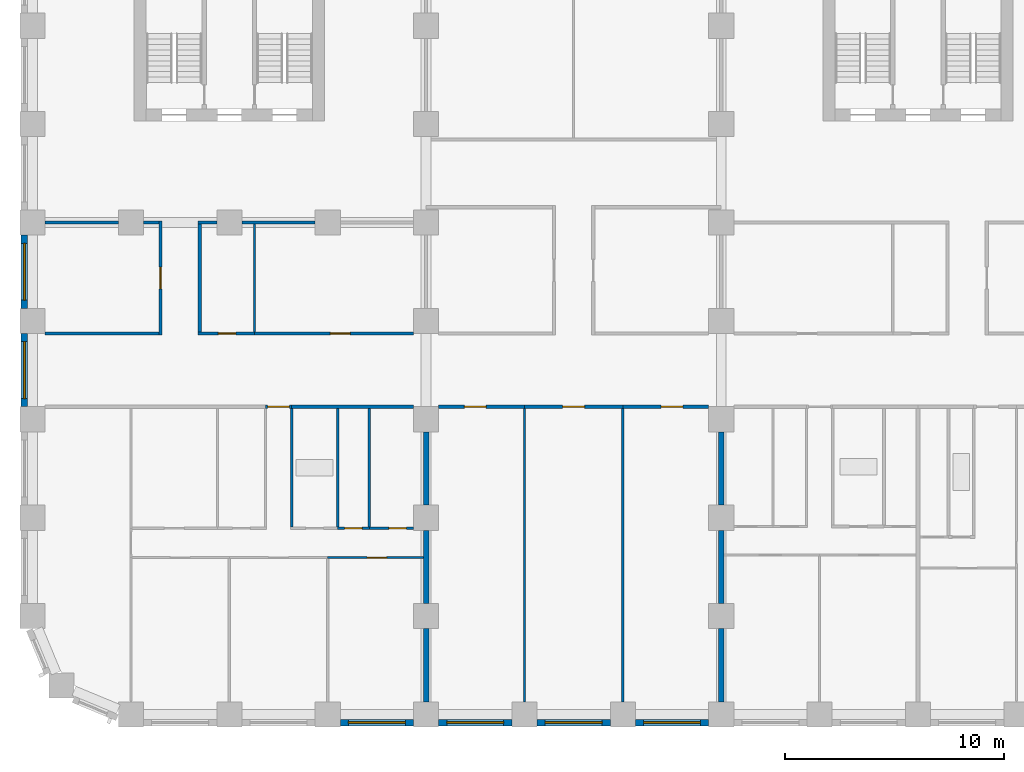
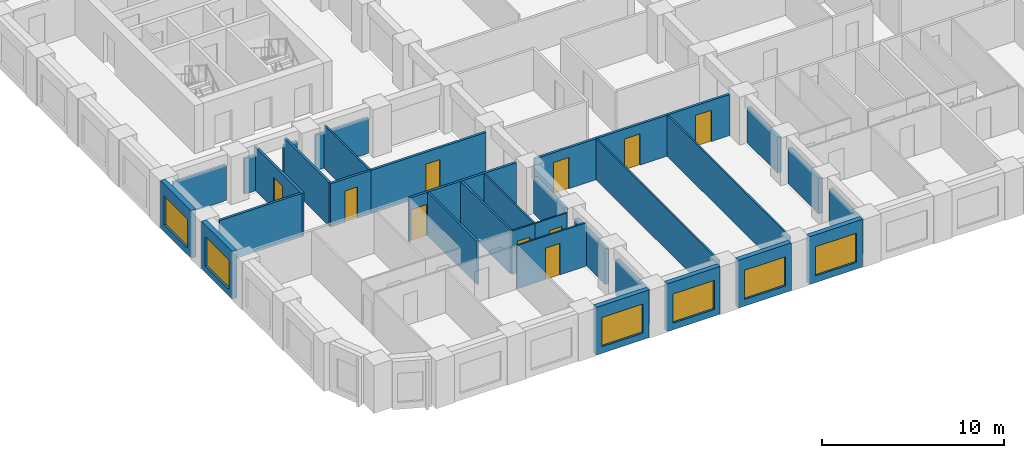
# One storey, part 3 of 13: 35 walls, 10 doors, 6 windows, 16 openings.
"""IFC4 building model written with IfcOpenShell, lengths in metres."""

from ifc_helpers import new_model, si_unit, direction, frame, frame_2d, origin, place, context, subcontext, project, spatial, rectangle, extrude, material, layer, layer_set, type_object, element, fill, save


model = new_model("IFC4")

# Units and contexts
model_context = context("Model", 3, precision=1e-05, world=origin(), true_north=direction((0.0, 1.0)))
body_context = subcontext(model_context, "Body", "Model", "MODEL_VIEW")
ifc_project = project(units=[si_unit("LENGTHUNIT", "METRE"), si_unit("AREAUNIT", "SQUARE_METRE"), si_unit("VOLUMEUNIT", "CUBIC_METRE"), si_unit("PLANEANGLEUNIT", "RADIAN"), si_unit("MASSUNIT", "GRAM", prefix="KILO")], contexts=[model_context])

# Site, building, storey
site_placement = place(None, origin())
site = spatial("IfcSite", under=ifc_project, at=site_placement, CompositionType="ELEMENT")
building_placement = place(site_placement, origin())
building = spatial("IfcBuilding", under=site, at=building_placement, Name="Girih Gate Residences", CompositionType="ELEMENT")
storey_placement = place(building_placement, frame((0.0, 0.0, 86.39990234375)))
storey = spatial("IfcBuildingStorey", under=building, at=storey_placement, Name="L23", CompositionType="ELEMENT", Elevation=86.39990234375)

# Walls
ifc_material_1 = material(Name="Gypsum board on steel studs", Category="steel")
ifc_layer_1 = layer(ifc_material_1, 0.25)
ifc_layer_set_1 = layer_set([ifc_layer_1], Name="Acoustic separating wall 250 mm")
wall_type_1 = type_object("IfcWallType", Name="Acoustic separating wall 250 mm", PredefinedType="PARTITIONING", material=ifc_layer_set_1)
for number, where, z_axis, x_axis, name in (
    (1, (18.0, 5.074951171875, 0.0), (0.0, 0.0, 1.0), (0.0, 1.0, 0.0), "L23 partition"),
    (2, (18.0, 0.574951171875, 0.0), (0.0, 0.0, 1.0), (0.0, 1.0, 0.0), "L23 partition"),
    (3, (18.0, 9.574951171875, 0.0), (0.0, 0.0, 1.0), (0.0, 1.0, 0.0), "L23 partition"),
    (4, (31.5, 9.574951171875, 0.0), (0.0, 0.0, 1.0), (0.0, 1.0, 0.0), "L23 partition"),
    (5, (31.5, 0.574951171875, 0.0), (0.0, 0.0, 1.0), (0.0, 1.0, 0.0), "L23 partition"),
    (6, (31.5, 5.074951171875, 0.0), (0.0, 0.0, 1.0), (0.0, 1.0, 0.0), "L23 partition"),
):
    element("IfcWall", number, at=place(storey_placement, frame(where, z_axis=z_axis, x_axis=x_axis)), inside=storey, type_object=wall_type_1, Name=name, PredefinedType="PARTITIONING", context=body_context, shape_type="SweptSolid", body=[
        extrude(rectangle(XDim=3.35009765625, YDim=0.25, at=frame_2d((1.675048828125, 0.0))), origin(), (0.0, 0.0, 1.0), 2.380126953125),
    ])
ifc_layer_2 = layer(ifc_material_1, 0.14990234375)
ifc_layer_set_2 = layer_set([ifc_layer_2], Name="Compartment wall 150 mm")
wall_type_2 = type_object("IfcWallType", Name="Compartment wall 150 mm", PredefinedType="PARTITIONING", material=ifc_layer_set_2)
wall_1_placement = place(storey_placement, frame((11.85009765625, 14.074951171875, 0.0), z_axis=(0.0, 0.0, 1.0), x_axis=(1.0, 0.0, 0.0)))
element("IfcWall", 7, at=wall_1_placement, inside=storey, type_object=wall_type_2, Name="L23 partition", PredefinedType="PARTITIONING", context=body_context, shape_type="SweptSolid", body=[
    extrude(rectangle(XDim=5.574951171875, YDim=0.14990234375, at=frame_2d((2.78759765625, 0.0))), origin(), (0.0, 0.0, 1.0), 2.900146484375),
])

# Wall, opening, door
wall_2_placement = place(storey_placement, frame((11.85009765625, 14.074951171875, 0.0), z_axis=(0.0, 0.0, 1.0), x_axis=(-1.0, 0.0, 0.0)))
wall_2 = element("IfcWall", 8, at=wall_2_placement, inside=storey, type_object=wall_type_2, Name="L23 partition", PredefinedType="PARTITIONING", context=body_context, shape_type="SweptSolid", body=[
    extrude(rectangle(XDim=1.2001953125, YDim=0.14990234375, at=frame_2d((0.60009765625, 0.0))), origin(), (0.0, 0.0, 1.0), 2.900146484375),
])
opening_1_placement = place(wall_2_placement, frame((0.10009765625, 0.0, 0.0)))
opening_1 = element("IfcOpeningElement", 9, at=opening_1_placement, cuts=wall_2, Name="Opening A23-010", PredefinedType="OPENING", context=body_context, shape_type="SweptSolid", body=[
    extrude(rectangle(XDim=1.0, YDim=2.10009765625, at=frame_2d((0.5, 1.050048828125))), frame((0.0, 0.0849609375, 0.0), z_axis=(0.0, -1.0, 0.0), x_axis=(1.0, 0.0, 0.0)), (0.0, 0.0, 1.0), 0.169921875),
])
ifc_material_2 = material(Name="Timber, fire-rated core", Category="wood")
door_type_1 = type_object("IfcDoorType", Name="Flat entrance door 1000x2100 FD30S", OperationType="NOTDEFINED", PredefinedType="DOOR", material=ifc_material_2)
door_1_placement = place(opening_1_placement, origin())
door_1 = element("IfcDoor", 10, at=door_1_placement, inside=storey, type_object=door_type_1, Name="Door A23-010", OperationType="SINGLE_SWING_RIGHT", OverallHeight=2.10009765625, OverallWidth=1.0, PredefinedType="DOOR", context=body_context, shape_type="SweptSolid", body=[
    extrude(rectangle(XDim=1.0, YDim=2.10009765625, at=frame_2d((0.5, 1.050048828125))), frame((0.0, 0.02490234375, 0.0), z_axis=(0.0, -1.0, 0.0), x_axis=(1.0, 0.0, 0.0)), (0.0, 0.0, 1.0), 0.050048828125),
])
fill(opening_1, door_1)

wall_3_placement = place(storey_placement, frame((22.5, 14.074951171875, 0.0), z_axis=(0.0, 0.0, 1.0), x_axis=(-1.0, 0.0, 0.0)))
wall_3 = element("IfcWall", 11, at=wall_3_placement, inside=storey, type_object=wall_type_2, Name="L23 partition", PredefinedType="PARTITIONING", context=body_context, shape_type="SweptSolid", body=[
    extrude(rectangle(XDim=3.925048828125, YDim=0.14990234375, at=frame_2d((1.96240234375, 0.0))), origin(), (0.0, 0.0, 1.0), 2.75),
])
opening_2_placement = place(wall_3_placement, frame((1.75, 0.0, 0.0)))
opening_2 = element("IfcOpeningElement", 12, at=opening_2_placement, cuts=wall_3, Name="Opening A23-050", PredefinedType="OPENING", context=body_context, shape_type="SweptSolid", body=[
    extrude(rectangle(XDim=1.0, YDim=2.10009765625, at=frame_2d((0.5, 1.050048828125))), frame((0.0, 0.0849609375, 0.0), z_axis=(0.0, -1.0, 0.0), x_axis=(1.0, 0.0, 0.0)), (0.0, 0.0, 1.0), 0.169921875),
])
door_type_2 = type_object("IfcDoorType", Name="Amenity room door 1000x2100 FD30S", OperationType="NOTDEFINED", PredefinedType="DOOR", material=ifc_material_2)
door_2_placement = place(opening_2_placement, origin())
door_2 = element("IfcDoor", 13, at=door_2_placement, inside=storey, type_object=door_type_2, Name="Door A23-050", OperationType="SINGLE_SWING_RIGHT", OverallHeight=2.10009765625, OverallWidth=1.0, PredefinedType="DOOR", context=body_context, shape_type="SweptSolid", body=[
    extrude(rectangle(XDim=1.0, YDim=2.10009765625, at=frame_2d((0.5, 1.050048828125))), frame((0.0, 0.02490234375, 0.0), z_axis=(0.0, -1.0, 0.0), x_axis=(1.0, 0.0, 0.0)), (0.0, 0.0, 1.0), 0.050048828125),
])
fill(opening_2, door_2)

wall_4_placement = place(storey_placement, frame((27.0, 14.074951171875, 0.0), z_axis=(0.0, 0.0, 1.0), x_axis=(-1.0, 0.0, 0.0)))
wall_4 = element("IfcWall", 14, at=wall_4_placement, inside=storey, type_object=wall_type_2, Name="L23 partition", PredefinedType="PARTITIONING", context=body_context, shape_type="SweptSolid", body=[
    extrude(rectangle(XDim=4.5, YDim=0.14990234375, at=frame_2d((2.25, 0.0))), origin(), (0.0, 0.0, 1.0), 2.75),
])
opening_3_placement = place(wall_4_placement, frame((1.75, 0.0, 0.0)))
opening_3 = element("IfcOpeningElement", 15, at=opening_3_placement, cuts=wall_4, Name="Opening A23-051", PredefinedType="OPENING", context=body_context, shape_type="SweptSolid", body=[
    extrude(rectangle(XDim=1.0, YDim=2.10009765625, at=frame_2d((0.5, 1.050048828125))), frame((0.0, 0.0849609375, 0.0), z_axis=(0.0, -1.0, 0.0), x_axis=(1.0, 0.0, 0.0)), (0.0, 0.0, 1.0), 0.169921875),
])
door_3_placement = place(opening_3_placement, origin())
door_3 = element("IfcDoor", 16, at=door_3_placement, inside=storey, type_object=door_type_2, Name="Door A23-051", OperationType="SINGLE_SWING_RIGHT", OverallHeight=2.10009765625, OverallWidth=1.0, PredefinedType="DOOR", context=body_context, shape_type="SweptSolid", body=[
    extrude(rectangle(XDim=1.0, YDim=2.10009765625, at=frame_2d((0.5, 1.050048828125))), frame((0.0, 0.02490234375, 0.0), z_axis=(0.0, -1.0, 0.0), x_axis=(1.0, 0.0, 0.0)), (0.0, 0.0, 1.0), 0.050048828125),
])
fill(opening_3, door_3)

wall_5_placement = place(storey_placement, frame((30.925048828125, 14.074951171875, 0.0), z_axis=(0.0, 0.0, 1.0), x_axis=(-1.0, 0.0, 0.0)))
wall_5 = element("IfcWall", 17, at=wall_5_placement, inside=storey, type_object=wall_type_2, Name="L23 partition", PredefinedType="PARTITIONING", context=body_context, shape_type="SweptSolid", body=[
    extrude(rectangle(XDim=3.925048828125, YDim=0.14990234375, at=frame_2d((1.96240234375, 0.0))), origin(), (0.0, 0.0, 1.0), 2.75),
])
opening_4_placement = place(wall_5_placement, frame((1.175048828125, 0.0, 0.0)))
opening_4 = element("IfcOpeningElement", 18, at=opening_4_placement, cuts=wall_5, Name="Opening A23-052", PredefinedType="OPENING", context=body_context, shape_type="SweptSolid", body=[
    extrude(rectangle(XDim=1.0, YDim=2.10009765625, at=frame_2d((0.5, 1.050048828125))), frame((0.0, 0.0849609375, 0.0), z_axis=(0.0, -1.0, 0.0), x_axis=(1.0, 0.0, 0.0)), (0.0, 0.0, 1.0), 0.169921875),
])
door_4_placement = place(opening_4_placement, origin())
door_4 = element("IfcDoor", 19, at=door_4_placement, inside=storey, type_object=door_type_2, Name="Door A23-052", OperationType="SINGLE_SWING_LEFT", OverallHeight=2.10009765625, OverallWidth=1.0, PredefinedType="DOOR", context=body_context, shape_type="SweptSolid", body=[
    extrude(rectangle(XDim=1.0, YDim=2.10009765625, at=frame_2d((0.5, 1.050048828125))), frame((0.0, 0.02490234375, 0.0), z_axis=(0.0, -1.0, 0.0), x_axis=(1.0, 0.0, 0.0)), (0.0, 0.0, 1.0), 0.050048828125),
])
fill(opening_4, door_4)

wall_6_placement = place(storey_placement, frame((10.14990234375, 17.425048828125, 0.0), z_axis=(0.0, 0.0, 1.0), x_axis=(1.0, 0.0, 0.0)))
wall_6 = element("IfcWall", 20, at=wall_6_placement, inside=storey, type_object=wall_type_2, Name="L23 partition", PredefinedType="PARTITIONING", context=body_context, shape_type="SweptSolid", body=[
    extrude(rectangle(XDim=7.275146484375, YDim=0.14990234375, at=frame_2d((3.6376953125, 0.0))), origin(), (0.0, 0.0, 1.0), 2.900146484375),
])
opening_5_placement = place(wall_6_placement, frame((3.47509765625, 0.0, 0.0)))
opening_5 = element("IfcOpeningElement", 21, at=opening_5_placement, cuts=wall_6, Name="Opening A23-056", PredefinedType="OPENING", context=body_context, shape_type="SweptSolid", body=[
    extrude(rectangle(XDim=0.89990234375, YDim=2.10009765625, at=frame_2d((0.449951171875, 1.050048828125))), frame((0.0, 0.0849609375, 0.0), z_axis=(0.0, -1.0, 0.0), x_axis=(1.0, 0.0, 0.0)), (0.0, 0.0, 1.0), 0.169921875),
])
ifc_material_3 = material(Name="Timber", Category="wood")
door_type_3 = type_object("IfcDoorType", Name="Service room door 900x2100", OperationType="NOTDEFINED", PredefinedType="DOOR", material=ifc_material_3)
door_5_placement = place(opening_5_placement, origin())
door_5 = element("IfcDoor", 22, at=door_5_placement, inside=storey, type_object=door_type_3, Name="Door A23-056", OperationType="SINGLE_SWING_RIGHT", OverallHeight=2.10009765625, OverallWidth=0.89990234375, PredefinedType="DOOR", context=body_context, shape_type="SweptSolid", body=[
    extrude(rectangle(XDim=0.89990234375, YDim=2.10009765625, at=frame_2d((0.449951171875, 1.050048828125))), frame((0.0, 0.02490234375, 0.0), z_axis=(0.0, -1.0, 0.0), x_axis=(1.0, 0.0, 0.0)), (0.0, 0.0, 1.0), 0.050048828125),
])
fill(opening_5, door_5)

wall_7_placement = place(storey_placement, frame((7.574951171875, 17.425048828125, 0.0), z_axis=(0.0, 0.0, 1.0), x_axis=(1.0, 0.0, 0.0)))
wall_7 = element("IfcWall", 23, at=wall_7_placement, inside=storey, type_object=wall_type_2, Name="L23 partition", PredefinedType="PARTITIONING", context=body_context, shape_type="SweptSolid", body=[
    extrude(rectangle(XDim=2.574951171875, YDim=0.14990234375, at=frame_2d((1.28759765625, 0.0))), origin(), (0.0, 0.0, 1.0), 2.900146484375),
])
opening_6_placement = place(wall_7_placement, frame((0.925048828125, 0.0, 0.0)))
opening_6 = element("IfcOpeningElement", 24, at=opening_6_placement, cuts=wall_7, Name="Opening A23-058", PredefinedType="OPENING", context=body_context, shape_type="SweptSolid", body=[
    extrude(rectangle(XDim=0.800048828125, YDim=2.10009765625, at=frame_2d((0.39990234375, 1.050048828125))), frame((0.0, 0.0849609375, 0.0), z_axis=(0.0, -1.0, 0.0), x_axis=(1.0, 0.0, 0.0)), (0.0, 0.0, 1.0), 0.169921875),
])
door_type_4 = type_object("IfcDoorType", Name="Bathroom door 800x2100", OperationType="NOTDEFINED", PredefinedType="DOOR", material=ifc_material_3)
door_6_placement = place(opening_6_placement, origin())
door_6 = element("IfcDoor", 25, at=door_6_placement, inside=storey, type_object=door_type_4, Name="Door A23-058", OperationType="SINGLE_SWING_RIGHT", OverallHeight=2.10009765625, OverallWidth=0.800048828125, PredefinedType="DOOR", context=body_context, shape_type="SweptSolid", body=[
    extrude(rectangle(XDim=0.800048828125, YDim=2.10009765625, at=frame_2d((0.39990234375, 1.050048828125))), frame((0.0, 0.02490234375, 0.0), z_axis=(0.0, -1.0, 0.0), x_axis=(1.0, 0.0, 0.0)), (0.0, 0.0, 1.0), 0.050048828125),
])
fill(opening_6, door_6)

# Walls
wall_8_placement = place(storey_placement, frame((0.574951171875, 17.425048828125, 0.0), z_axis=(0.0, 0.0, 1.0), x_axis=(1.0, 0.0, 0.0)))
element("IfcWall", 26, at=wall_8_placement, inside=storey, type_object=wall_type_2, Name="L23 partition", PredefinedType="PARTITIONING", context=body_context, shape_type="SweptSolid", body=[
    extrude(rectangle(XDim=5.199951171875, YDim=0.14990234375, at=frame_2d((2.60009765625, 0.0))), origin(), (0.0, 0.0, 1.0), 2.900146484375),
])
wall_9_placement = place(storey_placement, frame((9.574951171875, 22.5, 0.0), z_axis=(0.0, 0.0, 1.0), x_axis=(1.0, 0.0, 0.0)))
element("IfcWall", 27, at=wall_9_placement, inside=storey, type_object=wall_type_2, Name="L23 partition", PredefinedType="PARTITIONING", context=body_context, shape_type="SweptSolid", body=[
    extrude(rectangle(XDim=3.35009765625, YDim=0.14990234375, at=frame_2d((1.675048828125, 0.0))), origin(), (0.0, 0.0, 1.0), 2.380126953125),
])
wall_10_placement = place(storey_placement, frame((7.574951171875, 22.5, 0.0), z_axis=(0.0, 0.0, 1.0), x_axis=(1.0, 0.0, 0.0)))
element("IfcWall", 28, at=wall_10_placement, inside=storey, type_object=wall_type_2, Name="L23 partition", PredefinedType="PARTITIONING", context=body_context, shape_type="SweptSolid", body=[
    extrude(rectangle(XDim=0.85009765625, YDim=0.14990234375, at=frame_2d((0.425048828125, 0.0))), origin(), (0.0, 0.0, 1.0), 2.380126953125),
])
wall_11_placement = place(storey_placement, frame((5.074951171875, 22.5, 0.0), z_axis=(0.0, 0.0, 1.0), x_axis=(1.0, 0.0, 0.0)))
element("IfcWall", 29, at=wall_11_placement, inside=storey, type_object=wall_type_2, Name="L23 partition", PredefinedType="PARTITIONING", context=body_context, shape_type="SweptSolid", body=[
    extrude(rectangle(XDim=0.699951171875, YDim=0.14990234375, at=frame_2d((0.35009765625, 0.0))), origin(), (0.0, 0.0, 1.0), 2.380126953125),
])
wall_12_placement = place(storey_placement, frame((0.574951171875, 22.5, 0.0), z_axis=(0.0, 0.0, 1.0), x_axis=(1.0, 0.0, 0.0)))
element("IfcWall", 30, at=wall_12_placement, inside=storey, type_object=wall_type_2, Name="L23 partition", PredefinedType="PARTITIONING", context=body_context, shape_type="SweptSolid", body=[
    extrude(rectangle(XDim=3.35009765625, YDim=0.14990234375, at=frame_2d((1.675048828125, 0.0))), origin(), (0.0, 0.0, 1.0), 2.380126953125),
])
wall_13_placement = place(storey_placement, frame((7.64990234375, 17.5, 0.0), z_axis=(0.0, 0.0, 1.0), x_axis=(0.0, 1.0, 0.0)))
element("IfcWall", 31, at=wall_13_placement, inside=storey, type_object=wall_type_2, Name="L23 partition", PredefinedType="PARTITIONING", context=body_context, shape_type="SweptSolid", body=[
    extrude(rectangle(XDim=4.925048828125, YDim=0.14990234375, at=frame_2d((2.46240234375, 0.0))), origin(), (0.0, 0.0, 1.0), 2.900146484375),
])

# Wall, opening, door
wall_14_placement = place(storey_placement, frame((5.85009765625, 17.35009765625, 0.0), z_axis=(0.0, 0.0, 1.0), x_axis=(0.0, 1.0, 0.0)))
wall_14 = element("IfcWall", 32, at=wall_14_placement, inside=storey, type_object=wall_type_2, Name="L23 partition", PredefinedType="PARTITIONING", context=body_context, shape_type="SweptSolid", body=[
    extrude(rectangle(XDim=5.224853515625, YDim=0.14990234375, at=frame_2d((2.6123046875, 0.0))), origin(), (0.0, 0.0, 1.0), 2.900146484375),
])
opening_7_placement = place(wall_14_placement, frame((2.112548828125, 0.0, 0.0)))
opening_7 = element("IfcOpeningElement", 33, at=opening_7_placement, cuts=wall_14, Name="Opening A23-060", PredefinedType="OPENING", context=body_context, shape_type="SweptSolid", body=[
    extrude(rectangle(XDim=1.0, YDim=2.10009765625, at=frame_2d((0.5, 1.050048828125))), frame((0.0, 0.0849609375, 0.0), z_axis=(0.0, -1.0, 0.0), x_axis=(1.0, 0.0, 0.0)), (0.0, 0.0, 1.0), 0.169921875),
])
door_7_placement = place(opening_7_placement, origin())
door_7 = element("IfcDoor", 34, at=door_7_placement, inside=storey, type_object=door_type_2, Name="Door A23-060", OperationType="SINGLE_SWING_LEFT", OverallHeight=2.10009765625, OverallWidth=1.0, PredefinedType="DOOR", context=body_context, shape_type="SweptSolid", body=[
    extrude(rectangle(XDim=1.0, YDim=2.10009765625, at=frame_2d((0.5, 1.050048828125))), frame((0.0, 0.02490234375, 0.0), z_axis=(0.0, -1.0, 0.0), x_axis=(1.0, 0.0, 0.0)), (0.0, 0.0, 1.0), 0.050048828125),
])
fill(opening_7, door_7)

ifc_layer_3 = layer(ifc_material_1, 0.10009765625)
ifc_layer_set_3 = layer_set([ifc_layer_3], Name="Partition 100 mm")
wall_type_3 = type_object("IfcWallType", Name="Partition 100 mm", PredefinedType="PARTITIONING", material=ifc_layer_set_3)
wall_15_placement = place(storey_placement, frame((17.875, 7.175048828125, 0.0), z_axis=(0.0, 0.0, 1.0), x_axis=(-1.0, 0.0, 0.0)))
wall_15 = element("IfcWall", 35, at=wall_15_placement, inside=storey, type_object=wall_type_3, Name="L23 partition", PredefinedType="PARTITIONING", context=body_context, shape_type="SweptSolid", body=[
    extrude(rectangle(XDim=4.375, YDim=0.10009765625, at=frame_2d((2.1875, 0.0))), origin(), (0.0, 0.0, 1.0), 2.900146484375),
])
opening_8_placement = place(wall_15_placement, frame((1.675048828125, 0.0, 0.0)))
opening_8 = element("IfcOpeningElement", 36, at=opening_8_placement, cuts=wall_15, Name="Opening A23-004", PredefinedType="OPENING", context=body_context, shape_type="SweptSolid", body=[
    extrude(rectangle(XDim=0.89990234375, YDim=2.10009765625, at=frame_2d((0.449951171875, 1.050048828125))), frame((0.0, 0.06005859375, 0.0), z_axis=(0.0, -1.0, 0.0), x_axis=(1.0, 0.0, 0.0)), (0.0, 0.0, 1.0), 0.1201171875),
])
door_type_5 = type_object("IfcDoorType", Name="Bedroom door 900x2100", OperationType="NOTDEFINED", PredefinedType="DOOR", material=ifc_material_3)
door_8_placement = place(opening_8_placement, origin())
door_8 = element("IfcDoor", 37, at=door_8_placement, inside=storey, type_object=door_type_5, Name="Door A23-004", OperationType="SINGLE_SWING_LEFT", OverallHeight=2.10009765625, OverallWidth=0.89990234375, PredefinedType="DOOR", context=body_context, shape_type="SweptSolid", body=[
    extrude(rectangle(XDim=0.89990234375, YDim=2.10009765625, at=frame_2d((0.449951171875, 1.050048828125))), frame((0.0, 0.02490234375, 0.0), z_axis=(0.0, -1.0, 0.0), x_axis=(1.0, 0.0, 0.0)), (0.0, 0.0, 1.0), 0.050048828125),
])
fill(opening_8, door_8)

wall_16_placement = place(storey_placement, frame((15.401611328125, 8.514892578125, 0.0), z_axis=(0.0, 0.0, 1.0), x_axis=(1.0, 0.0, 0.0)))
wall_16 = element("IfcWall", 38, at=wall_16_placement, inside=storey, type_object=wall_type_3, Name="L23 partition", PredefinedType="PARTITIONING", context=body_context, shape_type="SweptSolid", body=[
    extrude(rectangle(XDim=2.0234375, YDim=0.10009765625, at=frame_2d((1.01171875, 0.0))), origin(), (0.0, 0.0, 1.0), 2.900146484375),
])
opening_9_placement = place(wall_16_placement, frame((0.899169921875, 0.0, 0.0)))
opening_9 = element("IfcOpeningElement", 39, at=opening_9_placement, cuts=wall_16, Name="Opening A23-005", PredefinedType="OPENING", context=body_context, shape_type="SweptSolid", body=[
    extrude(rectangle(XDim=0.800048828125, YDim=2.10009765625, at=frame_2d((0.39990234375, 1.050048828125))), frame((0.0, 0.06005859375, 0.0), z_axis=(0.0, -1.0, 0.0), x_axis=(1.0, 0.0, 0.0)), (0.0, 0.0, 1.0), 0.1201171875),
])
door_type_6 = type_object("IfcDoorType", Name="Store door 800x2100", OperationType="NOTDEFINED", PredefinedType="DOOR", material=ifc_material_3)
door_9_placement = place(opening_9_placement, origin())
door_9 = element("IfcDoor", 40, at=door_9_placement, inside=storey, type_object=door_type_6, Name="Door A23-005", OperationType="SINGLE_SWING_RIGHT", OverallHeight=2.10009765625, OverallWidth=0.800048828125, PredefinedType="DOOR", context=body_context, shape_type="SweptSolid", body=[
    extrude(rectangle(XDim=0.800048828125, YDim=2.10009765625, at=frame_2d((0.39990234375, 1.050048828125))), frame((0.0, 0.02490234375, 0.0), z_axis=(0.0, -1.0, 0.0), x_axis=(1.0, 0.0, 0.0)), (0.0, 0.0, 1.0), 0.050048828125),
])
fill(opening_9, door_9)

# Wall
wall_17_placement = place(storey_placement, frame((15.402099609375, 8.56494140625, 0.0), z_axis=(0.0, 0.0, 1.0), x_axis=(0.0, 1.0, 0.0)))
element("IfcWall", 41, at=wall_17_placement, inside=storey, type_object=wall_type_3, Name="L23 partition", PredefinedType="PARTITIONING", context=body_context, shape_type="SweptSolid", body=[
    extrude(rectangle(XDim=5.43505859375, YDim=0.10009765625, at=frame_2d((2.717529296875, 0.0))), origin(), (0.0, 0.0, 1.0), 2.900146484375),
])

# Wall, opening, door
wall_18_placement = place(storey_placement, frame((13.953857421875, 8.514892578125, 0.0), z_axis=(0.0, 0.0, 1.0), x_axis=(1.0, 0.0, 0.0)))
wall_18 = element("IfcWall", 42, at=wall_18_placement, inside=storey, type_object=wall_type_3, Name="L23 partition", PredefinedType="PARTITIONING", context=body_context, shape_type="SweptSolid", body=[
    extrude(rectangle(XDim=1.44775390625, YDim=0.10009765625, at=frame_2d((0.723876953125, 0.0))), origin(), (0.0, 0.0, 1.0), 2.900146484375),
])
opening_10_placement = place(wall_18_placement, frame((0.32373046875, 0.0, 0.0)))
opening_10 = element("IfcOpeningElement", 43, at=opening_10_placement, cuts=wall_18, Name="Opening A23-008", PredefinedType="OPENING", context=body_context, shape_type="SweptSolid", body=[
    extrude(rectangle(XDim=0.800048828125, YDim=2.10009765625, at=frame_2d((0.39990234375, 1.050048828125))), frame((0.0, 0.06005859375, 0.0), z_axis=(0.0, -1.0, 0.0), x_axis=(1.0, 0.0, 0.0)), (0.0, 0.0, 1.0), 0.1201171875),
])
door_10_placement = place(opening_10_placement, origin())
door_10 = element("IfcDoor", 44, at=door_10_placement, inside=storey, type_object=door_type_6, Name="Door A23-008", OperationType="SINGLE_SWING_RIGHT", OverallHeight=2.10009765625, OverallWidth=0.800048828125, PredefinedType="DOOR", context=body_context, shape_type="SweptSolid", body=[
    extrude(rectangle(XDim=0.800048828125, YDim=2.10009765625, at=frame_2d((0.39990234375, 1.050048828125))), frame((0.0, 0.02490234375, 0.0), z_axis=(0.0, -1.0, 0.0), x_axis=(1.0, 0.0, 0.0)), (0.0, 0.0, 1.0), 0.050048828125),
])
fill(opening_10, door_10)

# Walls
for number, where, z_axis, x_axis, name in (
    (45, (22.5, 0.574951171875, 0.0), (0.0, 0.0, 1.0), (0.0, 1.0, 0.0), "L23 partition"),
    (46, (27.0, 0.574951171875, 0.0), (0.0, 0.0, 1.0), (0.0, 1.0, 0.0), "L23 partition"),
):
    element("IfcWall", number, at=place(storey_placement, frame(where, z_axis=z_axis, x_axis=x_axis)), inside=storey, type_object=wall_type_3, Name=name, PredefinedType="PARTITIONING", context=body_context, shape_type="SweptSolid", body=[
        extrude(rectangle(XDim=13.425048828125, YDim=0.10009765625, at=frame_2d((6.71240234375, 0.0))), origin(), (0.0, 0.0, 1.0), 2.75),
    ])
wall_19_placement = place(storey_placement, frame((10.14990234375, 17.5, 0.0), z_axis=(0.0, 0.0, 1.0), x_axis=(0.0, 1.0, 0.0)))
element("IfcWall", 47, at=wall_19_placement, inside=storey, type_object=wall_type_3, Name="L23 partition", PredefinedType="PARTITIONING", context=body_context, shape_type="SweptSolid", body=[
    extrude(rectangle(XDim=4.925048828125, YDim=0.10009765625, at=frame_2d((2.46240234375, 0.0))), origin(), (0.0, 0.0, 1.0), 2.900146484375),
])

# Wall, opening, window
ifc_material_4 = material(Name="Precast concrete C50/60", Category="concrete")
ifc_layer_4 = layer(ifc_material_4, 0.080078125, Name="Outer leaf")
ifc_material_5 = material(Name="Rigid PIR insulation")
ifc_layer_5 = layer(ifc_material_5, 0.14990234375, Name="Insulation")
ifc_material_6 = material(Name="Precast concrete C40/50", Category="concrete")
ifc_layer_6 = layer(ifc_material_6, 0.070068359375, Name="Inner leaf")
ifc_layer_set_4 = layer_set([ifc_layer_4, ifc_layer_5, ifc_layer_6], Name="Precast concrete C50/60 external wall 300")
wall_type_4 = type_object("IfcWallType", Name="Precast concrete C50/60 external wall 300", PredefinedType="SOLIDWALL", material=ifc_layer_set_4)
wall_20_placement = place(storey_placement, frame((17.425048828125, -0.375, 0.0), z_axis=(0.0, 0.0, 1.0), x_axis=(-1.0, 0.0, 0.0)))
wall_20 = element("IfcWall", 48, at=wall_20_placement, inside=storey, type_object=wall_type_4, Name="External wall S0045_0000.2", PredefinedType="SOLIDWALL", context=body_context, shape_type="SweptSolid", body=[
    extrude(rectangle(XDim=3.35009765625, YDim=0.300048828125, at=frame_2d((1.675048828125, 0.0))), origin(), (0.0, 0.0, 1.0), 3.2001953125),
])
opening_11_placement = place(wall_20_placement, frame((0.375, 0.0, 0.449951171875)))
opening_11 = element("IfcOpeningElement", 49, at=opening_11_placement, cuts=wall_20, Name="Opening W-1A", PredefinedType="OPENING", context=body_context, shape_type="SweptSolid", body=[
    extrude(rectangle(XDim=2.60009765625, YDim=1.949951171875, at=frame_2d((1.300048828125, 0.97509765625))), frame((0.0, 0.159912109375, 0.0), z_axis=(0.0, -1.0, 0.0), x_axis=(1.0, 0.0, 0.0)), (0.0, 0.0, 1.0), 0.320068359375),
])
ifc_material_7 = material(Name="Double glazing in aluminium frame", Category="aluminium")
window_type = type_object("IfcWindowType", Name="Window W-1A 2600x1950", PartitioningType="SINGLE_PANEL", PredefinedType="WINDOW", material=ifc_material_7)
window_1_placement = place(opening_11_placement, origin())
window_1 = element("IfcWindow", 50, at=window_1_placement, inside=storey, type_object=window_type, Name="Window W-1A S0045_0000.2", OverallHeight=1.949951171875, OverallWidth=2.60009765625, PartitioningType="SINGLE_PANEL", PredefinedType="WINDOW", context=body_context, shape_type="SweptSolid", body=[
    extrude(rectangle(XDim=2.60009765625, YDim=1.949951171875, at=frame_2d((1.300048828125, 0.97509765625))), frame((0.0, 0.030029296875, 0.0), z_axis=(0.0, -1.0, 0.0), x_axis=(1.0, 0.0, 0.0)), (0.0, 0.0, 1.0), 0.06005859375),
])
fill(opening_11, window_1)

wall_21_placement = place(storey_placement, frame((21.925048828125, -0.375, 0.0), z_axis=(0.0, 0.0, 1.0), x_axis=(-1.0, 0.0, 0.0)))
wall_21 = element("IfcWall", 51, at=wall_21_placement, inside=storey, type_object=wall_type_4, Name="External wall S0045_0000.3", PredefinedType="SOLIDWALL", context=body_context, shape_type="SweptSolid", body=[
    extrude(rectangle(XDim=3.35009765625, YDim=0.300048828125, at=frame_2d((1.675048828125, 0.0))), origin(), (0.0, 0.0, 1.0), 3.2001953125),
])
opening_12_placement = place(wall_21_placement, frame((0.375, 0.0, 0.449951171875)))
opening_12 = element("IfcOpeningElement", 52, at=opening_12_placement, cuts=wall_21, Name="Opening W-1A", PredefinedType="OPENING", context=body_context, shape_type="SweptSolid", body=[
    extrude(rectangle(XDim=2.60009765625, YDim=1.949951171875, at=frame_2d((1.300048828125, 0.97509765625))), frame((0.0, 0.159912109375, 0.0), z_axis=(0.0, -1.0, 0.0), x_axis=(1.0, 0.0, 0.0)), (0.0, 0.0, 1.0), 0.320068359375),
])
window_2_placement = place(opening_12_placement, origin())
window_2 = element("IfcWindow", 53, at=window_2_placement, inside=storey, type_object=window_type, Name="Window W-1A S0045_0000.3", OverallHeight=1.949951171875, OverallWidth=2.60009765625, PartitioningType="SINGLE_PANEL", PredefinedType="WINDOW", context=body_context, shape_type="SweptSolid", body=[
    extrude(rectangle(XDim=2.60009765625, YDim=1.949951171875, at=frame_2d((1.300048828125, 0.97509765625))), frame((0.0, 0.030029296875, 0.0), z_axis=(0.0, -1.0, 0.0), x_axis=(1.0, 0.0, 0.0)), (0.0, 0.0, 1.0), 0.06005859375),
])
fill(opening_12, window_2)

wall_22_placement = place(storey_placement, frame((26.425048828125, -0.375, 0.0), z_axis=(0.0, 0.0, 1.0), x_axis=(-1.0, 0.0, 0.0)))
wall_22 = element("IfcWall", 54, at=wall_22_placement, inside=storey, type_object=wall_type_4, Name="External wall S0045_0000.4", PredefinedType="SOLIDWALL", context=body_context, shape_type="SweptSolid", body=[
    extrude(rectangle(XDim=3.35009765625, YDim=0.300048828125, at=frame_2d((1.675048828125, 0.0))), origin(), (0.0, 0.0, 1.0), 3.2001953125),
])
opening_13_placement = place(wall_22_placement, frame((0.375, 0.0, 0.449951171875)))
opening_13 = element("IfcOpeningElement", 55, at=opening_13_placement, cuts=wall_22, Name="Opening W-1A", PredefinedType="OPENING", context=body_context, shape_type="SweptSolid", body=[
    extrude(rectangle(XDim=2.60009765625, YDim=1.949951171875, at=frame_2d((1.300048828125, 0.97509765625))), frame((0.0, 0.159912109375, 0.0), z_axis=(0.0, -1.0, 0.0), x_axis=(1.0, 0.0, 0.0)), (0.0, 0.0, 1.0), 0.320068359375),
])
window_3_placement = place(opening_13_placement, origin())
window_3 = element("IfcWindow", 56, at=window_3_placement, inside=storey, type_object=window_type, Name="Window W-1A S0045_0000.4", OverallHeight=1.949951171875, OverallWidth=2.60009765625, PartitioningType="SINGLE_PANEL", PredefinedType="WINDOW", context=body_context, shape_type="SweptSolid", body=[
    extrude(rectangle(XDim=2.60009765625, YDim=1.949951171875, at=frame_2d((1.300048828125, 0.97509765625))), frame((0.0, 0.030029296875, 0.0), z_axis=(0.0, -1.0, 0.0), x_axis=(1.0, 0.0, 0.0)), (0.0, 0.0, 1.0), 0.06005859375),
])
fill(opening_13, window_3)

wall_23_placement = place(storey_placement, frame((30.925048828125, -0.375, 0.0), z_axis=(0.0, 0.0, 1.0), x_axis=(-1.0, 0.0, 0.0)))
wall_23 = element("IfcWall", 57, at=wall_23_placement, inside=storey, type_object=wall_type_4, Name="External wall S0045_0000.5", PredefinedType="SOLIDWALL", context=body_context, shape_type="SweptSolid", body=[
    extrude(rectangle(XDim=3.35009765625, YDim=0.300048828125, at=frame_2d((1.675048828125, 0.0))), origin(), (0.0, 0.0, 1.0), 3.2001953125),
])
opening_14_placement = place(wall_23_placement, frame((0.375, 0.0, 0.449951171875)))
opening_14 = element("IfcOpeningElement", 58, at=opening_14_placement, cuts=wall_23, Name="Opening W-1A", PredefinedType="OPENING", context=body_context, shape_type="SweptSolid", body=[
    extrude(rectangle(XDim=2.60009765625, YDim=1.949951171875, at=frame_2d((1.300048828125, 0.97509765625))), frame((0.0, 0.159912109375, 0.0), z_axis=(0.0, -1.0, 0.0), x_axis=(1.0, 0.0, 0.0)), (0.0, 0.0, 1.0), 0.320068359375),
])
window_4_placement = place(opening_14_placement, origin())
window_4 = element("IfcWindow", 59, at=window_4_placement, inside=storey, type_object=window_type, Name="Window W-1A S0045_0000.5", OverallHeight=1.949951171875, OverallWidth=2.60009765625, PartitioningType="SINGLE_PANEL", PredefinedType="WINDOW", context=body_context, shape_type="SweptSolid", body=[
    extrude(rectangle(XDim=2.60009765625, YDim=1.949951171875, at=frame_2d((1.300048828125, 0.97509765625))), frame((0.0, 0.030029296875, 0.0), z_axis=(0.0, -1.0, 0.0), x_axis=(1.0, 0.0, 0.0)), (0.0, 0.0, 1.0), 0.06005859375),
])
fill(opening_14, window_4)

wall_24_placement = place(storey_placement, frame((-0.375, 18.574951171875, 0.0), z_axis=(0.0, 0.0, 1.0), x_axis=(0.0, 1.0, 0.0)))
wall_24 = element("IfcWall", 60, at=wall_24_placement, inside=storey, type_object=wall_type_4, Name="External wall W0000_0450.5", PredefinedType="SOLIDWALL", context=body_context, shape_type="SweptSolid", body=[
    extrude(rectangle(XDim=3.35009765625, YDim=0.300048828125, at=frame_2d((1.675048828125, 0.0))), origin(), (0.0, 0.0, 1.0), 3.2001953125),
])
opening_15_placement = place(wall_24_placement, frame((0.375, 0.0, 0.449951171875)))
opening_15 = element("IfcOpeningElement", 61, at=opening_15_placement, cuts=wall_24, Name="Opening W-1A", PredefinedType="OPENING", context=body_context, shape_type="SweptSolid", body=[
    extrude(rectangle(XDim=2.60009765625, YDim=1.949951171875, at=frame_2d((1.300048828125, 0.97509765625))), frame((0.0, 0.159912109375, 0.0), z_axis=(0.0, -1.0, 0.0), x_axis=(1.0, 0.0, 0.0)), (0.0, 0.0, 1.0), 0.320068359375),
])
window_5_placement = place(opening_15_placement, origin())
window_5 = element("IfcWindow", 62, at=window_5_placement, inside=storey, type_object=window_type, Name="Window W-1A W0000_0450.5", OverallHeight=1.949951171875, OverallWidth=2.60009765625, PartitioningType="SINGLE_PANEL", PredefinedType="WINDOW", context=body_context, shape_type="SweptSolid", body=[
    extrude(rectangle(XDim=2.60009765625, YDim=1.949951171875, at=frame_2d((1.300048828125, 0.97509765625))), frame((0.0, 0.030029296875, 0.0), z_axis=(0.0, -1.0, 0.0), x_axis=(1.0, 0.0, 0.0)), (0.0, 0.0, 1.0), 0.06005859375),
])
fill(opening_15, window_5)

wall_25_placement = place(storey_placement, frame((-0.375, 14.074951171875, 0.0), z_axis=(0.0, 0.0, 1.0), x_axis=(0.0, 1.0, 0.0)))
wall_25 = element("IfcWall", 63, at=wall_25_placement, inside=storey, type_object=wall_type_4, Name="External wall W0000_0450.6", PredefinedType="SOLIDWALL", context=body_context, shape_type="SweptSolid", body=[
    extrude(rectangle(XDim=3.35009765625, YDim=0.300048828125, at=frame_2d((1.675048828125, 0.0))), origin(), (0.0, 0.0, 1.0), 3.2001953125),
])
opening_16_placement = place(wall_25_placement, frame((0.375, 0.0, 0.449951171875)))
opening_16 = element("IfcOpeningElement", 64, at=opening_16_placement, cuts=wall_25, Name="Opening W-1A", PredefinedType="OPENING", context=body_context, shape_type="SweptSolid", body=[
    extrude(rectangle(XDim=2.60009765625, YDim=1.949951171875, at=frame_2d((1.300048828125, 0.97509765625))), frame((0.0, 0.159912109375, 0.0), z_axis=(0.0, -1.0, 0.0), x_axis=(1.0, 0.0, 0.0)), (0.0, 0.0, 1.0), 0.320068359375),
])
window_6_placement = place(opening_16_placement, origin())
window_6 = element("IfcWindow", 65, at=window_6_placement, inside=storey, type_object=window_type, Name="Window W-1A W0000_0450.6", OverallHeight=1.949951171875, OverallWidth=2.60009765625, PartitioningType="SINGLE_PANEL", PredefinedType="WINDOW", context=body_context, shape_type="SweptSolid", body=[
    extrude(rectangle(XDim=2.60009765625, YDim=1.949951171875, at=frame_2d((1.300048828125, 0.97509765625))), frame((0.0, 0.030029296875, 0.0), z_axis=(0.0, -1.0, 0.0), x_axis=(1.0, 0.0, 0.0)), (0.0, 0.0, 1.0), 0.06005859375),
])
fill(opening_16, window_6)

# Walls
ifc_layer_7 = layer(ifc_material_1, 0.125)
ifc_layer_set_5 = layer_set([ifc_layer_7], Name="Wet room wall 125 mm")
wall_type_5 = type_object("IfcWallType", Name="Wet room wall 125 mm", PredefinedType="PARTITIONING", material=ifc_layer_set_5)
for number, where, z_axis, x_axis, name in (
    (66, (11.85009765625, 8.577392578125, 0.0), (0.0, 0.0, 1.0), (0.0, 1.0, 0.0), "L23 partition"),
    (67, (13.9541015625, 8.577392578125, 0.0), (0.0, 0.0, 1.0), (0.0, 1.0, 0.0), "L23 partition"),
):
    element("IfcWall", number, at=place(storey_placement, frame(where, z_axis=z_axis, x_axis=x_axis)), inside=storey, type_object=wall_type_5, Name=name, PredefinedType="PARTITIONING", context=body_context, shape_type="SweptSolid", body=[
        extrude(rectangle(XDim=5.422607421875, YDim=0.125, at=frame_2d((2.71142578125, 0.0))), origin(), (0.0, 0.0, 1.0), 2.900146484375),
    ])

save(model, "model.ifc")
